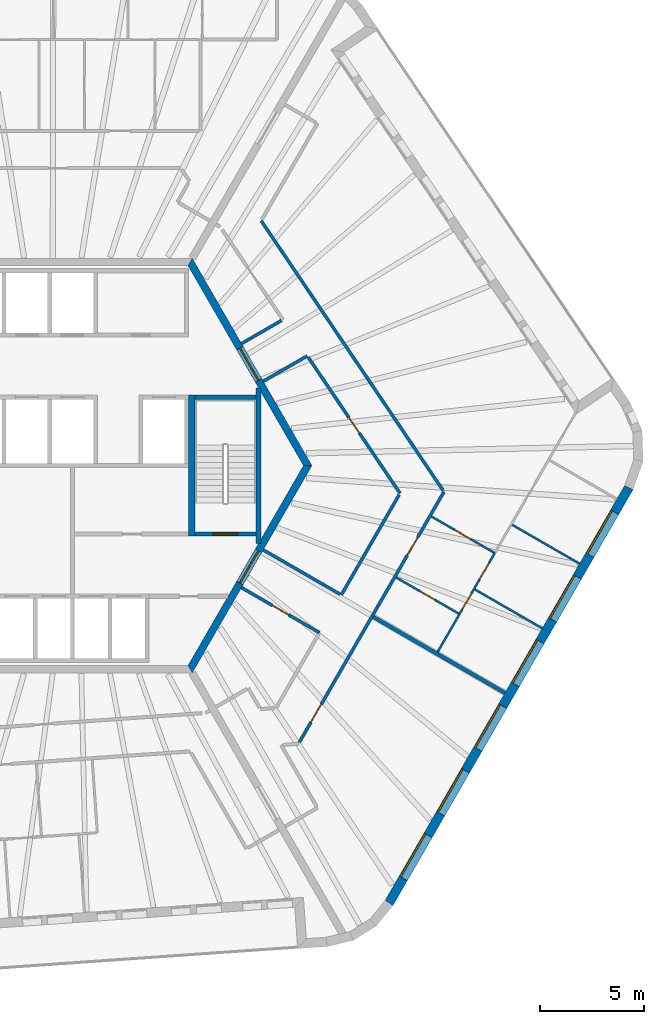
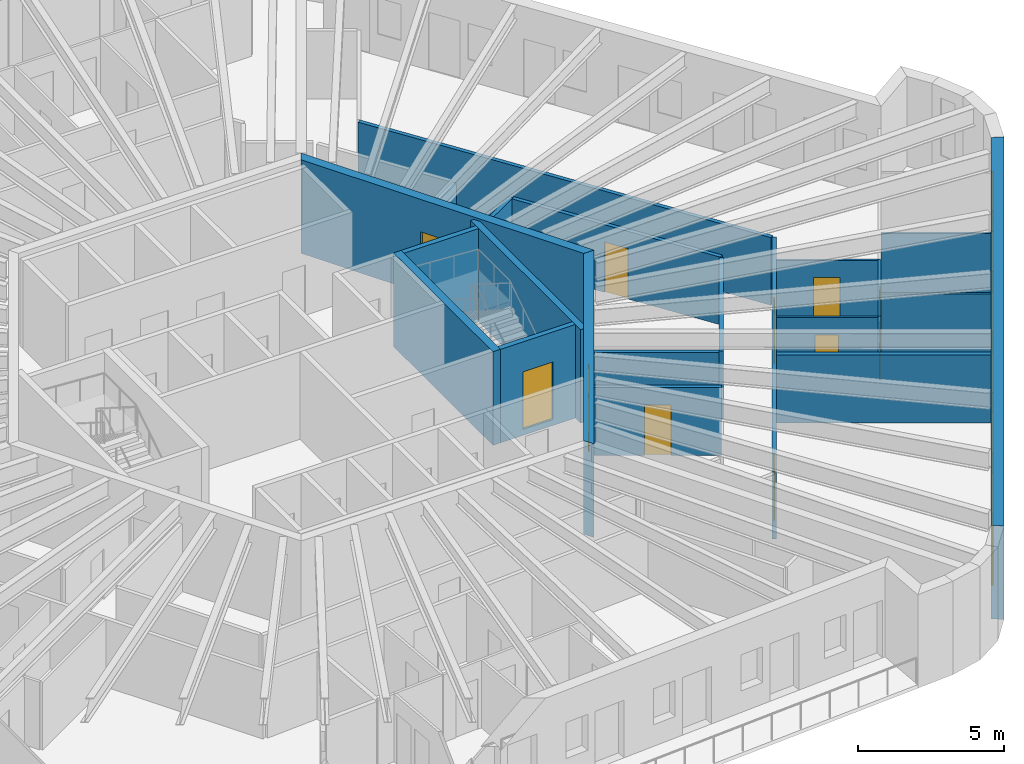
# One storey, part 6 of 11: 22 walls, 11 doors, 6 windows, 17 openings.
"""IFC4 building model written with IfcOpenShell, lengths in metres."""

from ifc_helpers import new_model, si_unit, direction, frame, frame_2d, origin, place, context, subcontext, project, spatial, polyline, rectangle, outline, extrude, material, layer, layer_set, type_object, element, fill, save


model = new_model("IFC4")

# Units and contexts
model_context = context("Model", 3, precision=1e-05, world=origin(), true_north=direction((0.0, 1.0)))
body_context = subcontext(model_context, "Body", "Model", "MODEL_VIEW")
ifc_project = project(units=[si_unit("LENGTHUNIT", "METRE"), si_unit("AREAUNIT", "SQUARE_METRE"), si_unit("VOLUMEUNIT", "CUBIC_METRE"), si_unit("PLANEANGLEUNIT", "RADIAN"), si_unit("MASSUNIT", "GRAM", prefix="KILO")], contexts=[model_context])

# Site, building, storey
site_placement = place(None, origin())
site = spatial("IfcSite", under=ifc_project, at=site_placement, CompositionType="ELEMENT")
building_placement = place(site_placement, origin())
building = spatial("IfcBuilding", under=site, at=building_placement, Name="Tarnside Tower", CompositionType="ELEMENT")
storey_placement = place(building_placement, frame((0.0, 0.0, 365.10009765625)))
storey = spatial("IfcBuildingStorey", under=building, at=storey_placement, Name="L88", CompositionType="ELEMENT", Elevation=365.10009765625)

# Wall, opening, door
ifc_material_1 = material(Name="Gypsum board partition on steel studs", Category="steel")
ifc_layer_1 = layer(ifc_material_1, 0.10009765625)
ifc_layer_set_1 = layer_set([ifc_layer_1], Name="Bathroom wall 100")
wall_type_1 = type_object("IfcWallType", Name="Bathroom wall 100", PredefinedType="PARTITIONING", material=ifc_layer_set_1)
wall_1_placement = place(storey_placement, frame((15.6171875, -5.400390625, 0.0), z_axis=(0.0, 0.0, 1.0), x_axis=(0.866031034943, -0.499990246421, 0.0)))
wall_1 = element("IfcWall", 1, at=wall_1_placement, inside=storey, type_object=wall_type_1, Name="Bathroom wall 28133", PredefinedType="PARTITIONING", context=body_context, shape_type="SweptSolid", body=[
    extrude(rectangle(XDim=3.52490234375, YDim=0.10009765625, at=frame_2d((1.762451171875, 0.0))), origin(), (0.0, 0.0, 1.0), 2.81982421875),
])
opening_1_placement = place(wall_1_placement, frame((1.324951171875, 0.0, 0.0)))
opening_1 = element("IfcOpeningElement", 2, at=opening_1_placement, cuts=wall_1, Name="Opening D-B1", PredefinedType="OPENING", context=body_context, shape_type="SweptSolid", body=[
    extrude(rectangle(XDim=0.800048828125, YDim=2.10009765625, at=frame_2d((0.39990234375, 1.050048828125))), frame((0.0, 0.06005859375, 0.0), z_axis=(0.0, -1.0, 0.0), x_axis=(1.0, 0.0, 0.0)), (0.0, 0.0, 1.0), 0.1201171875),
])
ifc_material_2 = material(Name="Timber door leaf", Category="wood")
door_type_1 = type_object("IfcDoorType", Name="Bathroom door 800", OperationType="NOTDEFINED", PredefinedType="DOOR", material=ifc_material_2)
door_1_placement = place(opening_1_placement, origin())
door_1 = element("IfcDoor", 3, at=door_1_placement, inside=storey, type_object=door_type_1, Name="Bathroom door 28054", OperationType="SINGLE_SWING_RIGHT", OverallHeight=2.10009765625, OverallWidth=0.800048828125, PredefinedType="DOOR", context=body_context, shape_type="SweptSolid", body=[
    extrude(rectangle(XDim=0.800048828125, YDim=2.10009765625, at=frame_2d((0.39990234375, 1.050048828125))), frame((0.0, 0.02490234375, 0.0), z_axis=(0.0, -1.0, 0.0), x_axis=(1.0, 0.0, 0.0)), (0.0, 0.0, 1.0), 0.050048828125),
])
fill(opening_1, door_1)

# Wall
wall_2_placement = place(storey_placement, frame((17.61474609375, -8.990234375, 0.0), z_axis=(0.0, 0.0, 1.0), x_axis=(0.500042633337, 0.866000788017, 0.0)))
element("IfcWall", 4, at=wall_2_placement, inside=storey, type_object=wall_type_1, Name="Bathroom wall 28136", PredefinedType="PARTITIONING", context=body_context, shape_type="SweptSolid", body=[
    extrude(rectangle(XDim=2.112060546875, YDim=0.10009765625, at=frame_2d((1.05615234375, 0.0))), origin(), (0.0, 0.0, 1.0), 2.81982421875),
])

# Wall, opening, door
ifc_material_3 = material(Name="Concrete C50/60", Category="concrete")
ifc_layer_2 = layer(ifc_material_3, 0.35009765625)
ifc_layer_set_2 = layer_set([ifc_layer_2], Name="Core wall Z4 350 C50/60")
wall_type_2 = type_object("IfcWallType", Name="Core wall Z4 350 C50/60", PredefinedType="SHEAR", material=ifc_layer_set_2)
wall_3_placement = place(storey_placement, frame((5.672607421875, -9.824951171875, -0.150146484375), z_axis=(0.0, 0.0, 1.0), x_axis=(0.499995046907, 0.866028263435, 0.0)))
wall_3 = element("IfcWall", 5, at=wall_3_placement, inside=storey, type_object=wall_type_2, Name="L88 core wall face 5", PredefinedType="SHEAR", context=body_context, shape_type="SweptSolid", body=[
    extrude(outline(polyline([(-0.10107421875, -0.175048828125), (11.44580078125, -0.175048828125), (11.24365234375, 0.175048828125), (0.10107421875, 0.175048828125), (-0.10107421875, -0.175048828125)])), origin(), (0.0, 0.0, 1.0), 3.900146484375),
])
opening_2_placement = place(wall_3_placement, frame((4.80126953125, 0.0, 0.14990234375)))
opening_2 = element("IfcOpeningElement", 6, at=opening_2_placement, cuts=wall_3, Name="Opening CD-FFL", PredefinedType="OPENING", context=body_context, shape_type="SweptSolid", body=[
    extrude(rectangle(XDim=1.800048828125, YDim=2.39990234375, at=frame_2d((0.89990234375, 1.199951171875))), frame((0.0, 0.18505859375, 0.0), z_axis=(0.0, -1.0, 0.0), x_axis=(1.0, 0.0, 0.0)), (0.0, 0.0, 1.0), 0.3701171875),
])
ifc_material_4 = material(Name="Steel fire door", Category="steel")
door_type_2 = type_object("IfcDoorType", Name="Firefighting lobby double door FD60S 1800x2400", OperationType="NOTDEFINED", PredefinedType="DOOR", material=ifc_material_4)
door_2_placement = place(opening_2_placement, origin())
door_2 = element("IfcDoor", 7, at=door_2_placement, inside=storey, type_object=door_type_2, Name="L88 core door P4", OperationType="DOUBLE_DOOR_SINGLE_SWING", OverallHeight=2.39990234375, OverallWidth=1.800048828125, PredefinedType="DOOR", context=body_context, shape_type="SweptSolid", body=[
    extrude(rectangle(XDim=1.800048828125, YDim=2.39990234375, at=frame_2d((0.89990234375, 1.199951171875))), frame((0.0, 0.02490234375, 0.0), z_axis=(0.0, -1.0, 0.0), x_axis=(1.0, 0.0, 0.0)), (0.0, 0.0, 1.0), 0.050048828125),
])
fill(opening_2, door_2)

wall_4_placement = place(storey_placement, frame((11.344970703125, 0.0, -0.150146484375), z_axis=(0.0, 0.0, 1.0), x_axis=(-0.499995046907, 0.866028263435, 0.0)))
wall_4 = element("IfcWall", 8, at=wall_4_placement, inside=storey, type_object=wall_type_2, Name="L88 core wall face 6", PredefinedType="SHEAR", context=body_context, shape_type="SweptSolid", body=[
    extrude(outline(polyline([(-0.10107421875, -0.175048828125), (11.44580078125, -0.175048828125), (11.24365234375, 0.175048828125), (0.10107421875, 0.175048828125), (-0.10107421875, -0.175048828125)])), origin(), (0.0, 0.0, 1.0), 3.900146484375),
])
opening_3_placement = place(wall_4_placement, frame((4.74365234375, 0.0, 0.14990234375)))
opening_3 = element("IfcOpeningElement", 9, at=opening_3_placement, cuts=wall_4, Name="Opening CD-LOB", PredefinedType="OPENING", context=body_context, shape_type="SweptSolid", body=[
    extrude(rectangle(XDim=1.800048828125, YDim=2.39990234375, at=frame_2d((0.89990234375, 1.199951171875))), frame((0.0, 0.18505859375, 0.0), z_axis=(0.0, -1.0, 0.0), x_axis=(1.0, 0.0, 0.0)), (0.0, 0.0, 1.0), 0.3701171875),
])
door_type_3 = type_object("IfcDoorType", Name="Lobby double door FD30S 1800x2400", OperationType="NOTDEFINED", PredefinedType="DOOR", material=ifc_material_4)
door_3_placement = place(opening_3_placement, origin())
door_3 = element("IfcDoor", 10, at=door_3_placement, inside=storey, type_object=door_type_3, Name="L88 core door P2", OperationType="DOUBLE_DOOR_SINGLE_SWING", OverallHeight=2.39990234375, OverallWidth=1.800048828125, PredefinedType="DOOR", context=body_context, shape_type="SweptSolid", body=[
    extrude(rectangle(XDim=1.800048828125, YDim=2.39990234375, at=frame_2d((0.89990234375, 1.199951171875))), frame((0.0, 0.02490234375, 0.0), z_axis=(0.0, -1.0, 0.0), x_axis=(1.0, 0.0, 0.0)), (0.0, 0.0, 1.0), 0.050048828125),
])
fill(opening_3, door_3)

# Wall, openings, doors
ifc_layer_3 = layer(ifc_material_1, 0.14990234375)
ifc_layer_set_3 = layer_set([ifc_layer_3], Name="Corridor wall 150 EI 60")
wall_type_3 = type_object("IfcWallType", Name="Corridor wall 150 EI 60", PredefinedType="PARTITIONING", material=ifc_layer_set_3)
wall_5_placement = place(storey_placement, frame((10.944091796875, -13.343994140625, 0.0), z_axis=(0.0, 0.0, 1.0), x_axis=(0.500003210163, 0.866023550388, 0.0)))
wall_5 = element("IfcWall", 11, at=wall_5_placement, inside=storey, type_object=wall_type_3, Name="Corridor wall 28052", PredefinedType="PARTITIONING", context=body_context, shape_type="SweptSolid", body=[
    extrude(rectangle(XDim=13.95068359375, YDim=0.14990234375, at=frame_2d((6.975341796875, 0.0))), origin(), (0.0, 0.0, 1.0), 2.81982421875),
])
opening_4_placement = place(wall_5_placement, frame((1.11572265625, 0.0, 0.0)))
opening_4 = element("IfcOpeningElement", 12, at=opening_4_placement, cuts=wall_5, Name="Opening D-E1", PredefinedType="OPENING", context=body_context, shape_type="SweptSolid", body=[
    extrude(rectangle(XDim=1.0, YDim=2.10009765625, at=frame_2d((0.5, 1.050048828125))), frame((0.0, 0.0849609375, 0.0), z_axis=(0.0, -1.0, 0.0), x_axis=(1.0, 0.0, 0.0)), (0.0, 0.0, 1.0), 0.169921875),
])
opening_5_placement = place(wall_5_placement, frame((10.415771484375, 0.0, 0.0)))
opening_5 = element("IfcOpeningElement", 13, at=opening_5_placement, cuts=wall_5, Name="Opening D-E1", PredefinedType="OPENING", context=body_context, shape_type="SweptSolid", body=[
    extrude(rectangle(XDim=1.0, YDim=2.10009765625, at=frame_2d((0.5, 1.050048828125))), frame((0.0, 0.0849609375, 0.0), z_axis=(0.0, -1.0, 0.0), x_axis=(1.0, 0.0, 0.0)), (0.0, 0.0, 1.0), 0.169921875),
])
door_type_4 = type_object("IfcDoorType", Name="Unit entrance door 1000 FD30S", OperationType="NOTDEFINED", PredefinedType="DOOR", material=ifc_material_2)
door_4_placement = place(opening_4_placement, origin())
door_4 = element("IfcDoor", 14, at=door_4_placement, inside=storey, type_object=door_type_4, Name="Unit door 28052", OperationType="SINGLE_SWING_RIGHT", OverallHeight=2.10009765625, OverallWidth=1.0, PredefinedType="DOOR", context=body_context, shape_type="SweptSolid", body=[
    extrude(rectangle(XDim=1.0, YDim=2.10009765625, at=frame_2d((0.5, 1.050048828125))), frame((0.0, 0.02490234375, 0.0), z_axis=(0.0, -1.0, 0.0), x_axis=(1.0, 0.0, 0.0)), (0.0, 0.0, 1.0), 0.050048828125),
])
fill(opening_4, door_4)
door_5_placement = place(opening_5_placement, origin())
door_5 = element("IfcDoor", 15, at=door_5_placement, inside=storey, type_object=door_type_4, Name="Unit door 28053", OperationType="SINGLE_SWING_RIGHT", OverallHeight=2.10009765625, OverallWidth=1.0, PredefinedType="DOOR", context=body_context, shape_type="SweptSolid", body=[
    extrude(rectangle(XDim=1.0, YDim=2.10009765625, at=frame_2d((0.5, 1.050048828125))), frame((0.0, 0.02490234375, 0.0), z_axis=(0.0, -1.0, 0.0), x_axis=(1.0, 0.0, 0.0)), (0.0, 0.0, 1.0), 0.050048828125),
])
fill(opening_5, door_5)

# Walls
wall_6_placement = place(storey_placement, frame((17.872802734375, -1.193359375, 0.0), z_axis=(0.0, 0.0, 1.0), x_axis=(-0.559188435605, 0.829040586151, 0.0)))
element("IfcWall", 16, at=wall_6_placement, inside=storey, type_object=wall_type_3, Name="Corridor wall 28054", PredefinedType="PARTITIONING", context=body_context, shape_type="SweptSolid", body=[
    extrude(rectangle(XDim=15.687744140625, YDim=0.14990234375, at=frame_2d((7.84375, 0.0))), origin(), (0.0, 0.0, 1.0), 2.81982421875),
])
wall_7_placement = place(storey_placement, frame((9.19970703125, 4.065673828125, 0.0), z_axis=(0.0, 0.0, 1.0), x_axis=(0.866038240688, 0.499977765172, 0.0)))
element("IfcWall", 17, at=wall_7_placement, inside=storey, type_object=wall_type_3, Name="Corridor wall 28059", PredefinedType="PARTITIONING", context=body_context, shape_type="SweptSolid", body=[
    extrude(rectangle(XDim=2.45556640625, YDim=0.14990234375, at=frame_2d((1.227783203125, 0.0))), origin(), (0.0, 0.0, 1.0), 2.81982421875),
])

# Wall, opening, door
wall_8_placement = place(storey_placement, frame((11.368408203125, 5.231201171875, 0.0), z_axis=(0.0, 0.0, 1.0), x_axis=(0.55919388604, -0.829036909803, 0.0)))
wall_8 = element("IfcWall", 18, at=wall_8_placement, inside=storey, type_object=wall_type_3, Name="Corridor wall 28060", PredefinedType="PARTITIONING", context=body_context, shape_type="SweptSolid", body=[
    extrude(rectangle(XDim=7.921875, YDim=0.14990234375, at=frame_2d((3.9609375, 0.0))), origin(), (0.0, 0.0, 1.0), 2.81982421875),
])
opening_6_placement = place(wall_8_placement, frame((3.510986328125, 0.0, 0.0)))
opening_6 = element("IfcOpeningElement", 19, at=opening_6_placement, cuts=wall_8, Name="Opening D-S1", PredefinedType="OPENING", context=body_context, shape_type="SweptSolid", body=[
    extrude(rectangle(XDim=0.89990234375, YDim=2.10009765625, at=frame_2d((0.449951171875, 1.050048828125))), frame((0.0, 0.0849609375, 0.0), z_axis=(0.0, -1.0, 0.0), x_axis=(1.0, 0.0, 0.0)), (0.0, 0.0, 1.0), 0.169921875),
])
door_type_5 = type_object("IfcDoorType", Name="Service room door 900 FD30S", OperationType="NOTDEFINED", PredefinedType="DOOR", material=ifc_material_2)
door_6_placement = place(opening_6_placement, origin())
door_6 = element("IfcDoor", 20, at=door_6_placement, inside=storey, type_object=door_type_5, Name="Service door 28067", OperationType="SINGLE_SWING_RIGHT", OverallHeight=2.10009765625, OverallWidth=0.89990234375, PredefinedType="DOOR", context=body_context, shape_type="SweptSolid", body=[
    extrude(rectangle(XDim=0.89990234375, YDim=2.10009765625, at=frame_2d((0.449951171875, 1.050048828125))), frame((0.0, 0.02490234375, 0.0), z_axis=(0.0, -1.0, 0.0), x_axis=(1.0, 0.0, 0.0)), (0.0, 0.0, 1.0), 0.050048828125),
])
fill(opening_6, door_6)

# Walls
wall_9_placement = place(storey_placement, frame((15.756591796875, -1.40869140625, 0.0), z_axis=(0.0, 0.0, 1.0), x_axis=(-0.500002739321, -0.866023822231, 0.0)))
element("IfcWall", 21, at=wall_9_placement, inside=storey, type_object=wall_type_3, Name="Corridor wall 28061", PredefinedType="PARTITIONING", context=body_context, shape_type="SweptSolid", body=[
    extrude(rectangle(XDim=5.57958984375, YDim=0.14990234375, at=frame_2d((2.789794921875, 0.0))), origin(), (0.0, 0.0, 1.0), 2.81982421875),
])
wall_10_placement = place(storey_placement, frame((12.90185546875, -6.203125, 0.0), z_axis=(0.0, 0.0, 1.0), x_axis=(-0.866023907196, 0.500002592159, 0.0)))
element("IfcWall", 22, at=wall_10_placement, inside=storey, type_object=wall_type_3, Name="Corridor wall 28062", PredefinedType="PARTITIONING", context=body_context, shape_type="SweptSolid", body=[
    extrude(rectangle(XDim=4.27490234375, YDim=0.14990234375, at=frame_2d((2.137451171875, 0.0))), origin(), (0.0, 0.0, 1.0), 2.81982421875),
])

# Wall, opening, door
wall_11_placement = place(storey_placement, frame((8.149658203125, -5.88427734375, 0.0), z_axis=(0.0, 0.0, 1.0), x_axis=(0.866027639635, -0.499996127374, 0.0)))
wall_11 = element("IfcWall", 23, at=wall_11_placement, inside=storey, type_object=wall_type_3, Name="Corridor wall 28063", PredefinedType="PARTITIONING", context=body_context, shape_type="SweptSolid", body=[
    extrude(rectangle(XDim=4.35009765625, YDim=0.14990234375, at=frame_2d((2.175048828125, 0.0))), origin(), (0.0, 0.0, 1.0), 2.81982421875),
])
opening_7_placement = place(wall_11_placement, frame((1.72509765625, 0.0, 0.0)))
opening_7 = element("IfcOpeningElement", 24, at=opening_7_placement, cuts=wall_11, Name="Opening D-S1", PredefinedType="OPENING", context=body_context, shape_type="SweptSolid", body=[
    extrude(rectangle(XDim=0.89990234375, YDim=2.10009765625, at=frame_2d((0.449951171875, 1.050048828125))), frame((0.0, 0.0849609375, 0.0), z_axis=(0.0, -1.0, 0.0), x_axis=(1.0, 0.0, 0.0)), (0.0, 0.0, 1.0), 0.169921875),
])
door_7_placement = place(opening_7_placement, origin())
door_7 = element("IfcDoor", 25, at=door_7_placement, inside=storey, type_object=door_type_5, Name="Service door 28068", OperationType="SINGLE_SWING_LEFT", OverallHeight=2.10009765625, OverallWidth=0.89990234375, PredefinedType="DOOR", context=body_context, shape_type="SweptSolid", body=[
    extrude(rectangle(XDim=0.89990234375, YDim=2.10009765625, at=frame_2d((0.449951171875, 1.050048828125))), frame((0.0, 0.02490234375, 0.0), z_axis=(0.0, -1.0, 0.0), x_axis=(1.0, 0.0, 0.0)), (0.0, 0.0, 1.0), 0.050048828125),
])
fill(opening_7, door_7)

# Walls
wall_12_placement = place(storey_placement, frame((10.083984375, 7.001220703125, 0.0), z_axis=(0.0, 0.0, 1.0), x_axis=(-0.865994457699, -0.500053596362, 0.0)))
element("IfcWall", 26, at=wall_12_placement, inside=storey, type_object=wall_type_3, Name="Corridor wall 28070", PredefinedType="PARTITIONING", context=body_context, shape_type="SweptSolid", body=[
    extrude(rectangle(XDim=2.233642578125, YDim=0.14990234375, at=frame_2d((1.11669921875, 0.0))), origin(), (0.0, 0.0, 1.0), 2.81982421875),
])
ifc_layer_4 = layer(ifc_material_1, 0.179931640625)
ifc_layer_set_4 = layer_set([ifc_layer_4], Name="Demising wall 180 EI 60")
wall_type_4 = type_object("IfcWallType", Name="Demising wall 180 EI 60", PredefinedType="PARTITIONING", material=ifc_layer_set_4)
wall_13_placement = place(storey_placement, frame((20.860595703125, -10.96826171875, 0.0), z_axis=(0.0, 0.0, 1.0), x_axis=(-0.866015186145, 0.500017697054, 0.0)))
element("IfcWall", 27, at=wall_13_placement, inside=storey, type_object=wall_type_4, Name="Demising wall 28127", PredefinedType="PARTITIONING", context=body_context, shape_type="SweptSolid", body=[
    extrude(rectangle(XDim=7.324951171875, YDim=0.179931640625, at=frame_2d((3.66259765625, 0.0))), origin(), (0.0, 0.0, 1.0), 2.81982421875),
])
ifc_material_5 = material(Name="Concrete C40/50", Category="concrete")
ifc_layer_5 = layer(ifc_material_5, 0.199951171875)
ifc_layer_set_5 = layer_set([ifc_layer_5], Name="Lift shaft wall 200 C40/50")
wall_type_5 = type_object("IfcWallType", Name="Lift shaft wall 200 C40/50", PredefinedType="SHEAR", material=ifc_layer_set_5)
wall_14_placement = place(storey_placement, frame((5.89990234375, 3.300048828125, -0.25), z_axis=(0.0, 0.0, 1.0), x_axis=(1.0, 0.0, 0.0)))
element("IfcWall", 28, at=wall_14_placement, inside=storey, type_object=wall_type_5, Name="L88 stair 1 enclosure cap wall n", PredefinedType="SHEAR", context=body_context, shape_type="SweptSolid", body=[
    extrude(rectangle(XDim=2.9501953125, YDim=0.199951171875, at=frame_2d((1.47509765625, 0.0))), origin(), (0.0, 0.0, 1.0), 3.89990234375),
])

# Wall, opening, door
wall_15_placement = place(storey_placement, frame((5.89990234375, -3.300048828125, -0.25), z_axis=(0.0, 0.0, 1.0), x_axis=(1.0, 0.0, 0.0)))
wall_15 = element("IfcWall", 29, at=wall_15_placement, inside=storey, type_object=wall_type_5, Name="L88 stair 1 enclosure cap wall s", PredefinedType="SHEAR", context=body_context, shape_type="SweptSolid", body=[
    extrude(rectangle(XDim=2.9501953125, YDim=0.199951171875, at=frame_2d((1.47509765625, 0.0))), origin(), (0.0, 0.0, 1.0), 3.89990234375),
])
opening_8_placement = place(wall_15_placement, frame((0.875, 0.0, 0.25)))
opening_8 = element("IfcOpeningElement", 30, at=opening_8_placement, cuts=wall_15, Name="Opening CD-STR", PredefinedType="OPENING", context=body_context, shape_type="SweptSolid", body=[
    extrude(rectangle(XDim=1.199951171875, YDim=2.39990234375, at=frame_2d((0.60009765625, 1.199951171875))), frame((0.0, 0.10986328125, 0.0), z_axis=(0.0, -1.0, 0.0), x_axis=(1.0, 0.0, 0.0)), (0.0, 0.0, 1.0), 0.219970703125),
])
door_type_6 = type_object("IfcDoorType", Name="Stair door FD60S 1200x2400", OperationType="NOTDEFINED", PredefinedType="DOOR", material=ifc_material_4)
door_8_placement = place(opening_8_placement, origin())
door_8 = element("IfcDoor", 31, at=door_8_placement, inside=storey, type_object=door_type_6, Name="L88 stair 1 door", OperationType="SINGLE_SWING_LEFT", OverallHeight=2.39990234375, OverallWidth=1.199951171875, PredefinedType="DOOR", context=body_context, shape_type="SweptSolid", body=[
    extrude(rectangle(XDim=1.199951171875, YDim=2.39990234375, at=frame_2d((0.60009765625, 1.199951171875))), frame((0.0, 0.02490234375, 0.0), z_axis=(0.0, -1.0, 0.0), x_axis=(1.0, 0.0, 0.0)), (0.0, 0.0, 1.0), 0.050048828125),
])
fill(opening_8, door_8)

ifc_layer_6 = layer(ifc_material_1, 0.10009765625)
ifc_layer_set_6 = layer_set([ifc_layer_6], Name="Partition 100")
wall_type_6 = type_object("IfcWallType", Name="Partition 100", PredefinedType="PARTITIONING", material=ifc_layer_set_6)
wall_16_placement = place(storey_placement, frame((17.317138671875, -2.4560546875, 0.0), z_axis=(0.0, 0.0, 1.0), x_axis=(0.866031034943, -0.499990246421, 0.0)))
wall_16 = element("IfcWall", 32, at=wall_16_placement, inside=storey, type_object=wall_type_6, Name="Partition wall 28129", PredefinedType="PARTITIONING", context=body_context, shape_type="SweptSolid", body=[
    extrude(rectangle(XDim=3.52490234375, YDim=0.10009765625, at=frame_2d((1.762451171875, 0.0))), origin(), (0.0, 0.0, 1.0), 2.81982421875),
])
opening_9_placement = place(wall_16_placement, frame((1.27490234375, 0.0, 0.0)))
opening_9 = element("IfcOpeningElement", 33, at=opening_9_placement, cuts=wall_16, Name="Opening D-I1", PredefinedType="OPENING", context=body_context, shape_type="SweptSolid", body=[
    extrude(rectangle(XDim=0.89990234375, YDim=2.10009765625, at=frame_2d((0.449951171875, 1.050048828125))), frame((0.0, 0.06005859375, 0.0), z_axis=(0.0, -1.0, 0.0), x_axis=(1.0, 0.0, 0.0)), (0.0, 0.0, 1.0), 0.1201171875),
])
door_type_7 = type_object("IfcDoorType", Name="Internal door 900", OperationType="NOTDEFINED", PredefinedType="DOOR", material=ifc_material_2)
door_9_placement = place(opening_9_placement, origin())
door_9 = element("IfcDoor", 34, at=door_9_placement, inside=storey, type_object=door_type_7, Name="Internal door 28055", OperationType="SINGLE_SWING_RIGHT", OverallHeight=2.10009765625, OverallWidth=0.89990234375, PredefinedType="DOOR", context=body_context, shape_type="SweptSolid", body=[
    extrude(rectangle(XDim=0.89990234375, YDim=2.10009765625, at=frame_2d((0.449951171875, 1.050048828125))), frame((0.0, 0.02490234375, 0.0), z_axis=(0.0, -1.0, 0.0), x_axis=(1.0, 0.0, 0.0)), (0.0, 0.0, 1.0), 0.050048828125),
])
fill(opening_9, door_9)

# Wall, openings, doors
wall_17_placement = place(storey_placement, frame((18.69384765625, -7.121337890625, 0.0), z_axis=(0.0, 0.0, 1.0), x_axis=(0.500014404596, 0.866017087127, 0.0)))
wall_17 = element("IfcWall", 35, at=wall_17_placement, inside=storey, type_object=wall_type_6, Name="Partition wall 28134", PredefinedType="PARTITIONING", context=body_context, shape_type="SweptSolid", body=[
    extrude(rectangle(XDim=3.35400390625, YDim=0.10009765625, at=frame_2d((1.677001953125, 0.0))), origin(), (0.0, 0.0, 1.0), 2.81982421875),
])
opening_10_placement = place(wall_17_placement, frame((0.201904296875, 0.0, 0.0)))
opening_10 = element("IfcOpeningElement", 36, at=opening_10_placement, cuts=wall_17, Name="Opening D-I1", PredefinedType="OPENING", context=body_context, shape_type="SweptSolid", body=[
    extrude(rectangle(XDim=0.89990234375, YDim=2.10009765625, at=frame_2d((0.449951171875, 1.050048828125))), frame((0.0, 0.06005859375, 0.0), z_axis=(0.0, -1.0, 0.0), x_axis=(1.0, 0.0, 0.0)), (0.0, 0.0, 1.0), 0.1201171875),
])
opening_11_placement = place(wall_17_placement, frame((1.902099609375, 0.0, 0.0)))
opening_11 = element("IfcOpeningElement", 37, at=opening_11_placement, cuts=wall_17, Name="Opening D-I1", PredefinedType="OPENING", context=body_context, shape_type="SweptSolid", body=[
    extrude(rectangle(XDim=0.89990234375, YDim=2.10009765625, at=frame_2d((0.449951171875, 1.050048828125))), frame((0.0, 0.06005859375, 0.0), z_axis=(0.0, -1.0, 0.0), x_axis=(1.0, 0.0, 0.0)), (0.0, 0.0, 1.0), 0.1201171875),
])
door_10_placement = place(opening_10_placement, origin())
door_10 = element("IfcDoor", 38, at=door_10_placement, inside=storey, type_object=door_type_7, Name="Internal door 28056", OperationType="SINGLE_SWING_RIGHT", OverallHeight=2.10009765625, OverallWidth=0.89990234375, PredefinedType="DOOR", context=body_context, shape_type="SweptSolid", body=[
    extrude(rectangle(XDim=0.89990234375, YDim=2.10009765625, at=frame_2d((0.449951171875, 1.050048828125))), frame((0.0, 0.02490234375, 0.0), z_axis=(0.0, -1.0, 0.0), x_axis=(1.0, 0.0, 0.0)), (0.0, 0.0, 1.0), 0.050048828125),
])
fill(opening_10, door_10)
door_11_placement = place(opening_11_placement, origin())
door_11 = element("IfcDoor", 39, at=door_11_placement, inside=storey, type_object=door_type_7, Name="Internal door 28057", OperationType="SINGLE_SWING_LEFT", OverallHeight=2.10009765625, OverallWidth=0.89990234375, PredefinedType="DOOR", context=body_context, shape_type="SweptSolid", body=[
    extrude(rectangle(XDim=0.89990234375, YDim=2.10009765625, at=frame_2d((0.449951171875, 1.050048828125))), frame((0.0, 0.02490234375, 0.0), z_axis=(0.0, -1.0, 0.0), x_axis=(1.0, 0.0, 0.0)), (0.0, 0.0, 1.0), 0.050048828125),
])
fill(opening_11, door_11)

# Walls
for number, where, z_axis, x_axis, name in (
    (40, (22.66064453125, -7.8505859375, 0.0), (0.0, 0.0, 1.0), (-0.866022959057, 0.500004234368, 0.0), "Partition wall 28137"),
    (41, (24.460693359375, -4.73291015625, 0.0), (0.0, 0.0, 1.0), (-0.866022959057, 0.500004234368, 0.0), "Partition wall 28138"),
):
    element("IfcWall", number, at=place(storey_placement, frame(where, z_axis=z_axis, x_axis=x_axis)), inside=storey, type_object=wall_type_6, Name=name, PredefinedType="PARTITIONING", context=body_context, shape_type="SweptSolid", body=[
        extrude(rectangle(XDim=3.75, YDim=0.10009765625, at=frame_2d((1.875, 0.0))), origin(), (0.0, 0.0, 1.0), 2.81982421875),
    ])
ifc_layer_7 = layer(ifc_material_5, 0.25)
ifc_layer_set_7 = layer_set([ifc_layer_7], Name="Stair enclosure wall 250 C40/50")
wall_type_7 = type_object("IfcWallType", Name="Stair enclosure wall 250 C40/50", PredefinedType="SHEAR", material=ifc_layer_set_7)
wall_18_placement = place(storey_placement, frame((8.97509765625, -3.7548828125, -0.25), z_axis=(0.0, 0.0, 1.0), x_axis=(0.0, 1.0, 0.0)))
element("IfcWall", 42, at=wall_18_placement, inside=storey, type_object=wall_type_7, Name="L88 stair 1 enclosure wall outer", PredefinedType="SHEAR", context=body_context, shape_type="SweptSolid", body=[
    extrude(rectangle(XDim=7.509765625, YDim=0.25, at=frame_2d((3.7548828125, 0.0))), origin(), (0.0, 0.0, 1.0), 3.89990234375),
])
ifc_layer_8 = layer(ifc_material_5, 0.300048828125)
ifc_layer_set_8 = layer_set([ifc_layer_8], Name="Stair enclosure wall 300 C40/50")
wall_type_8 = type_object("IfcWallType", Name="Stair enclosure wall 300 C40/50", PredefinedType="SHEAR", material=ifc_layer_set_8)
wall_19_placement = place(storey_placement, frame((5.75, -3.39990234375, -0.25), z_axis=(0.0, 0.0, 1.0), x_axis=(0.0, 1.0, 0.0)))
element("IfcWall", 43, at=wall_19_placement, inside=storey, type_object=wall_type_8, Name="L88 stair 1 enclosure wall inner", PredefinedType="SHEAR", context=body_context, shape_type="SweptSolid", body=[
    extrude(rectangle(XDim=6.7998046875, YDim=0.300048828125, at=frame_2d((3.39990234375, 0.0))), origin(), (0.0, 0.0, 1.0), 3.89990234375),
])

# Wall, openings, windows
ifc_material_6 = material(Name="Facing brick", Category="masonry")
ifc_layer_9 = layer(ifc_material_6, 0.10205078125)
ifc_material_7 = material(Name="Concrete C60/75 precast", Category="concrete")
ifc_layer_10 = layer(ifc_material_7, 0.248046875)
ifc_material_8 = material(Name="Mineral wool insulation")
ifc_layer_11 = layer(ifc_material_8, 0.10009765625)
ifc_layer_set_9 = layer_set([ifc_layer_9, ifc_layer_10, ifc_layer_11], Name="Tube wall 450 brick faced")
wall_type_9 = type_object("IfcWallType", Name="Tube wall 450 brick faced", PredefinedType="SOLIDWALL", material=ifc_layer_set_9)
wall_20_placement = place(storey_placement, frame((15.272705078125, -21.096923828125, -0.150146484375), z_axis=(0.0, 0.0, 1.0), x_axis=(0.499997453958, 0.866026873738, 0.0)))
wall_20 = element("IfcWall", 44, at=wall_20_placement, inside=storey, type_object=wall_type_9, Name="Tube wall L88 F5 flush 24", PredefinedType="SOLIDWALL", context=body_context, shape_type="SweptSolid", body=[
    extrude(outline(polyline([(-0.018310546875, -0.22509765625), (23.15234375, -0.22509765625), (23.1103515625, 0.22509765625), (0.018310546875, 0.22509765625), (-0.018310546875, -0.22509765625)])), origin(), (0.0, 0.0, 1.0), 3.900146484375),
])
opening_12_placement = place(wall_20_placement, frame((1.36572265625, 0.0, 0.449951171875)))
opening_12 = element("IfcOpeningElement", 45, at=opening_12_placement, cuts=wall_20, Name="Opening WP", PredefinedType="OPENING", context=body_context, shape_type="SweptSolid", body=[
    extrude(rectangle(XDim=2.39990234375, YDim=3.0, at=frame_2d((1.199951171875, 1.5))), frame((0.0, 0.23486328125, 0.0), z_axis=(0.0, -1.0, 0.0), x_axis=(1.0, 0.0, 0.0)), (0.0, 0.0, 1.0), 0.469970703125),
])
opening_13_placement = place(wall_20_placement, frame((4.9658203125, 0.0, 0.449951171875)))
opening_13 = element("IfcOpeningElement", 46, at=opening_13_placement, cuts=wall_20, Name="Opening WP", PredefinedType="OPENING", context=body_context, shape_type="SweptSolid", body=[
    extrude(rectangle(XDim=2.39990234375, YDim=3.0, at=frame_2d((1.199951171875, 1.5))), frame((0.0, 0.23486328125, 0.0), z_axis=(0.0, -1.0, 0.0), x_axis=(1.0, 0.0, 0.0)), (0.0, 0.0, 1.0), 0.469970703125),
])
opening_14_placement = place(wall_20_placement, frame((8.56591796875, 0.0, 0.449951171875)))
opening_14 = element("IfcOpeningElement", 47, at=opening_14_placement, cuts=wall_20, Name="Opening WP", PredefinedType="OPENING", context=body_context, shape_type="SweptSolid", body=[
    extrude(rectangle(XDim=2.39990234375, YDim=3.0, at=frame_2d((1.199951171875, 1.5))), frame((0.0, 0.23486328125, 0.0), z_axis=(0.0, -1.0, 0.0), x_axis=(1.0, 0.0, 0.0)), (0.0, 0.0, 1.0), 0.469970703125),
])
opening_15_placement = place(wall_20_placement, frame((12.165771484375, 0.0, 0.449951171875)))
opening_15 = element("IfcOpeningElement", 48, at=opening_15_placement, cuts=wall_20, Name="Opening WP", PredefinedType="OPENING", context=body_context, shape_type="SweptSolid", body=[
    extrude(rectangle(XDim=2.39990234375, YDim=3.0, at=frame_2d((1.199951171875, 1.5))), frame((0.0, 0.23486328125, 0.0), z_axis=(0.0, -1.0, 0.0), x_axis=(1.0, 0.0, 0.0)), (0.0, 0.0, 1.0), 0.469970703125),
])
opening_16_placement = place(wall_20_placement, frame((15.765869140625, 0.0, 0.449951171875)))
opening_16 = element("IfcOpeningElement", 49, at=opening_16_placement, cuts=wall_20, Name="Opening WP", PredefinedType="OPENING", context=body_context, shape_type="SweptSolid", body=[
    extrude(rectangle(XDim=2.39990234375, YDim=3.0, at=frame_2d((1.199951171875, 1.5))), frame((0.0, 0.23486328125, 0.0), z_axis=(0.0, -1.0, 0.0), x_axis=(1.0, 0.0, 0.0)), (0.0, 0.0, 1.0), 0.469970703125),
])
opening_17_placement = place(wall_20_placement, frame((19.36572265625, 0.0, 0.449951171875)))
opening_17 = element("IfcOpeningElement", 50, at=opening_17_placement, cuts=wall_20, Name="Opening WP", PredefinedType="OPENING", context=body_context, shape_type="SweptSolid", body=[
    extrude(rectangle(XDim=2.39990234375, YDim=3.0, at=frame_2d((1.199951171875, 1.5))), frame((0.0, 0.23486328125, 0.0), z_axis=(0.0, -1.0, 0.0), x_axis=(1.0, 0.0, 0.0)), (0.0, 0.0, 1.0), 0.469970703125),
])
ifc_material_9 = material(Name="Aluminium-framed double glazing", Category="aluminium")
window_type = type_object("IfcWindowType", Name="Penthouse window 2400 x 3000", PartitioningType="DOUBLE_PANEL_VERTICAL", PredefinedType="WINDOW", material=ifc_material_9)
window_1_placement = place(opening_12_placement, frame((0.0, 0.1552734375, 0.0)))
window_1 = element("IfcWindow", 51, at=window_1_placement, inside=storey, type_object=window_type, Name="E.WN.L88.F5.00", OverallHeight=3.0, OverallWidth=2.39990234375, PartitioningType="DOUBLE_PANEL_VERTICAL", PredefinedType="WINDOW", context=body_context, shape_type="SweptSolid", body=[
    extrude(rectangle(XDim=2.39990234375, YDim=3.0, at=frame_2d((1.199951171875, 1.5))), frame((0.0, 0.030029296875, 0.0), z_axis=(0.0, -1.0, 0.0), x_axis=(1.0, 0.0, 0.0)), (0.0, 0.0, 1.0), 0.06005859375),
])
fill(opening_12, window_1)
window_2_placement = place(opening_13_placement, frame((0.0, 0.1552734375, 0.0)))
window_2 = element("IfcWindow", 52, at=window_2_placement, inside=storey, type_object=window_type, Name="E.WN.L88.F5.01", OverallHeight=3.0, OverallWidth=2.39990234375, PartitioningType="DOUBLE_PANEL_VERTICAL", PredefinedType="WINDOW", context=body_context, shape_type="SweptSolid", body=[
    extrude(rectangle(XDim=2.39990234375, YDim=3.0, at=frame_2d((1.199951171875, 1.5))), frame((0.0, 0.030029296875, 0.0), z_axis=(0.0, -1.0, 0.0), x_axis=(1.0, 0.0, 0.0)), (0.0, 0.0, 1.0), 0.06005859375),
])
fill(opening_13, window_2)
window_3_placement = place(opening_14_placement, frame((0.0, 0.1552734375, 0.0)))
window_3 = element("IfcWindow", 53, at=window_3_placement, inside=storey, type_object=window_type, Name="E.WN.L88.F5.02", OverallHeight=3.0, OverallWidth=2.39990234375, PartitioningType="DOUBLE_PANEL_VERTICAL", PredefinedType="WINDOW", context=body_context, shape_type="SweptSolid", body=[
    extrude(rectangle(XDim=2.39990234375, YDim=3.0, at=frame_2d((1.199951171875, 1.5))), frame((0.0, 0.030029296875, 0.0), z_axis=(0.0, -1.0, 0.0), x_axis=(1.0, 0.0, 0.0)), (0.0, 0.0, 1.0), 0.06005859375),
])
fill(opening_14, window_3)
window_4_placement = place(opening_15_placement, frame((0.0, 0.1552734375, 0.0)))
window_4 = element("IfcWindow", 54, at=window_4_placement, inside=storey, type_object=window_type, Name="E.WN.L88.F5.03", OverallHeight=3.0, OverallWidth=2.39990234375, PartitioningType="DOUBLE_PANEL_VERTICAL", PredefinedType="WINDOW", context=body_context, shape_type="SweptSolid", body=[
    extrude(rectangle(XDim=2.39990234375, YDim=3.0, at=frame_2d((1.199951171875, 1.5))), frame((0.0, 0.030029296875, 0.0), z_axis=(0.0, -1.0, 0.0), x_axis=(1.0, 0.0, 0.0)), (0.0, 0.0, 1.0), 0.06005859375),
])
fill(opening_15, window_4)
window_5_placement = place(opening_16_placement, frame((0.0, 0.1552734375, 0.0)))
window_5 = element("IfcWindow", 55, at=window_5_placement, inside=storey, type_object=window_type, Name="E.WN.L88.F5.04", OverallHeight=3.0, OverallWidth=2.39990234375, PartitioningType="DOUBLE_PANEL_VERTICAL", PredefinedType="WINDOW", context=body_context, shape_type="SweptSolid", body=[
    extrude(rectangle(XDim=2.39990234375, YDim=3.0, at=frame_2d((1.199951171875, 1.5))), frame((0.0, 0.030029296875, 0.0), z_axis=(0.0, -1.0, 0.0), x_axis=(1.0, 0.0, 0.0)), (0.0, 0.0, 1.0), 0.06005859375),
])
fill(opening_16, window_5)
window_6_placement = place(opening_17_placement, frame((0.0, 0.1552734375, 0.0)))
window_6 = element("IfcWindow", 56, at=window_6_placement, inside=storey, type_object=window_type, Name="E.WN.L88.F5.05", OverallHeight=3.0, OverallWidth=2.39990234375, PartitioningType="DOUBLE_PANEL_VERTICAL", PredefinedType="WINDOW", context=body_context, shape_type="SweptSolid", body=[
    extrude(rectangle(XDim=2.39990234375, YDim=3.0, at=frame_2d((1.199951171875, 1.5))), frame((0.0, 0.030029296875, 0.0), z_axis=(0.0, -1.0, 0.0), x_axis=(1.0, 0.0, 0.0)), (0.0, 0.0, 1.0), 0.06005859375),
])
fill(opening_17, window_6)

save(model, "model.ifc")
